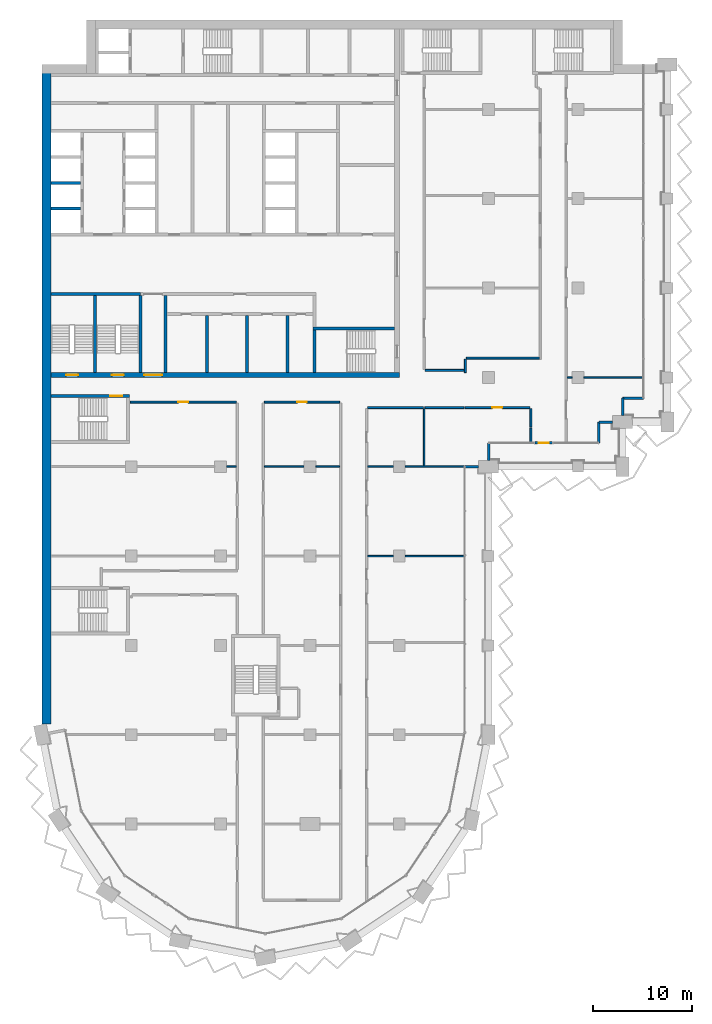
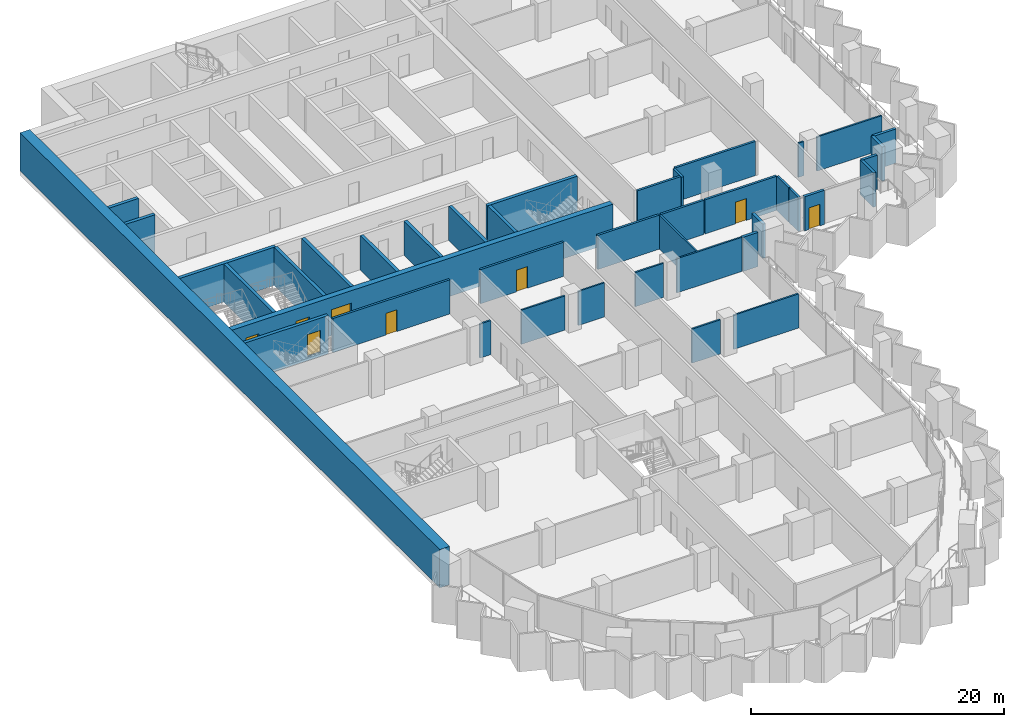
# One storey, part 12 of 23: 41 walls, 8 doors, 8 openings.
"""IFC4 building model written with IfcOpenShell, lengths in metres."""

from ifc_helpers import new_model, si_unit, direction, frame, frame_2d, origin, place, context, subcontext, project, spatial, rectangle, extrude, material, layer, layer_set, type_object, element, fill, save


model = new_model("IFC4")

# Units and contexts
model_context = context("Model", 3, precision=1e-05, world=origin(), true_north=direction((0.0, 1.0)))
body_context = subcontext(model_context, "Body", "Model", "MODEL_VIEW")
ifc_project = project(units=[si_unit("LENGTHUNIT", "METRE"), si_unit("AREAUNIT", "SQUARE_METRE"), si_unit("VOLUMEUNIT", "CUBIC_METRE"), si_unit("PLANEANGLEUNIT", "RADIAN"), si_unit("MASSUNIT", "GRAM", prefix="KILO")], contexts=[model_context])

# Site, building, storey
site_placement = place(None, origin())
site = spatial("IfcSite", under=ifc_project, at=site_placement, CompositionType="ELEMENT")
building_placement = place(site_placement, origin())
building = spatial("IfcBuilding", under=site, at=building_placement, Name="Hunhe Ridgeline Campus", CompositionType="ELEMENT")
storey_placement = place(building_placement, frame((0.0, 0.0, 148.60009765625)))
storey = spatial("IfcBuildingStorey", under=building, at=storey_placement, Name="L37", CompositionType="ELEMENT", Elevation=148.60009765625)

# Walls
ifc_material_1 = material(Name="Masonry concrete blockwork", Category="masonry")
ifc_layer_1 = layer(ifc_material_1, 0.300048828125)
ifc_layer_set_1 = layer_set([ifc_layer_1], Name="Core room partition 300 concrete block")
wall_type_1 = type_object("IfcWallType", Name="Core room partition 300 concrete block", PredefinedType="PARTITIONING", material=ifc_layer_set_1)
wall_1_placement = place(storey_placement, frame((12.449951171875, 63.5, 0.0), z_axis=(0.0, 0.0, 1.0), x_axis=(0.0, 1.0, 0.0)))
element("IfcWall", 1, at=wall_1_placement, inside=storey, type_object=wall_type_1, Name="L37 core partition 41", PredefinedType="PARTITIONING", context=body_context, shape_type="SweptSolid", body=[
    extrude(rectangle(XDim=7.75, YDim=0.300048828125, at=frame_2d((3.875, 0.0))), origin(), (0.0, 0.0, 1.0), 3.2998046875),
])
for number, where, z_axis, x_axis, name in (
    (2, (16.64990234375, 63.5, 0.0), (0.0, 0.0, 1.0), (0.0, 1.0, 0.0), "L37 core partition 44"),
    (3, (20.64990234375, 63.5, 0.0), (0.0, 0.0, 1.0), (0.0, 1.0, 0.0), "L37 core partition 47"),
    (4, (24.75, 63.5, 0.0), (0.0, 0.0, 1.0), (0.0, 1.0, 0.0), "L37 core partition 52"),
):
    element("IfcWall", number, at=place(storey_placement, frame(where, z_axis=z_axis, x_axis=x_axis)), inside=storey, type_object=wall_type_1, Name=name, PredefinedType="PARTITIONING", context=body_context, shape_type="SweptSolid", body=[
        extrude(rectangle(XDim=5.75, YDim=0.300048828125, at=frame_2d((2.875, 0.0))), origin(), (0.0, 0.0, 1.0), 3.2998046875),
    ])

# Wall, openings, doors
ifc_material_2 = material(Name="Concrete C70", Category="concrete")
ifc_layer_2 = layer(ifc_material_2, 0.5)
ifc_layer_set_2 = layer_set([ifc_layer_2], Name="Core wall 500 reinforced concrete C70")
wall_type_2 = type_object("IfcWallType", Name="Core wall 500 reinforced concrete C70", PredefinedType="SOLIDWALL", material=ifc_layer_set_2)
wall_2_placement = place(storey_placement, frame((0.89990234375, 63.25, -0.400146484375), z_axis=(0.0, 0.0, 1.0), x_axis=(1.0, 0.0, 0.0)))
wall_2 = element("IfcWall", 5, at=wall_2_placement, inside=storey, type_object=wall_type_2, Name="L37 core wall 7", PredefinedType="SOLIDWALL", context=body_context, shape_type="SweptSolid", body=[
    extrude(rectangle(XDim=35.10009765625, YDim=0.5, at=frame_2d((17.550048828125, 0.0))), origin(), (0.0, 0.0, 1.0), 3.699951171875),
])
opening_1_placement = place(wall_2_placement, frame((9.39990234375, 0.0, 0.39990234375)))
opening_1 = element("IfcOpeningElement", 6, at=opening_1_placement, cuts=wall_2, Name="Opening CD6", PredefinedType="OPENING", context=body_context, shape_type="SweptSolid", body=[
    extrude(rectangle(XDim=1.800048828125, YDim=2.10009765625, at=frame_2d((0.89990234375, 1.050048828125))), frame((0.0, 0.25, 0.0), z_axis=(0.0, -1.0, 0.0), x_axis=(1.0, 0.0, 0.0)), (0.0, 0.0, 1.0), 0.5),
])
opening_2_placement = place(wall_2_placement, frame((1.550048828125, 0.0, 0.39990234375)))
opening_2 = element("IfcOpeningElement", 7, at=opening_2_placement, cuts=wall_2, Name="Opening CD13", PredefinedType="OPENING", context=body_context, shape_type="SweptSolid", body=[
    extrude(rectangle(XDim=1.199951171875, YDim=2.10009765625, at=frame_2d((0.60009765625, 1.050048828125))), frame((0.0, 0.25, 0.0), z_axis=(0.0, -1.0, 0.0), x_axis=(1.0, 0.0, 0.0)), (0.0, 0.0, 1.0), 0.5),
])
opening_3_placement = place(wall_2_placement, frame((6.14990234375, 0.0, 0.39990234375)))
opening_3 = element("IfcOpeningElement", 8, at=opening_3_placement, cuts=wall_2, Name="Opening CD14", PredefinedType="OPENING", context=body_context, shape_type="SweptSolid", body=[
    extrude(rectangle(XDim=1.199951171875, YDim=2.10009765625, at=frame_2d((0.60009765625, 1.050048828125))), frame((0.0, 0.25, 0.0), z_axis=(0.0, -1.0, 0.0), x_axis=(1.0, 0.0, 0.0)), (0.0, 0.0, 1.0), 0.5),
])
ifc_material_3 = material(Name="Anodised aluminium and glass", Category="aluminium")
door_type_1 = type_object("IfcDoorType", Name="Glazed double door 1800x2100", OperationType="DOUBLE_DOOR_SINGLE_SWING", PredefinedType="DOOR", material=ifc_material_3)
door_1_placement = place(opening_1_placement, frame((1.800048828125, 0.0, 0.0), z_axis=(0.0, 0.0, 1.0), x_axis=(-1.0, 0.0, 0.0)))
door_1 = element("IfcDoor", 9, at=door_1_placement, inside=storey, type_object=door_type_1, Name="L37 door VEST-FLOOR", OperationType="DOUBLE_DOOR_SINGLE_SWING", OverallHeight=2.10009765625, OverallWidth=1.800048828125, PredefinedType="DOOR", context=body_context, shape_type="SweptSolid", body=[
    extrude(rectangle(XDim=1.800048828125, YDim=2.10009765625, at=frame_2d((0.89990234375, 1.050048828125))), frame((0.0, 0.02490234375, 0.0), z_axis=(0.0, -1.0, 0.0), x_axis=(1.0, 0.0, 0.0)), (0.0, 0.0, 1.0), 0.050048828125),
])
fill(opening_1, door_1)
ifc_material_4 = material(Name="Hollow metal fire door leaf")
door_type_2 = type_object("IfcDoorType", Name="Stair door 1200x2100 FD60", OperationType="SINGLE_SWING_LEFT", PredefinedType="DOOR", material=ifc_material_4)
door_2_placement = place(opening_2_placement, frame((1.199951171875, 0.0, 0.0), z_axis=(0.0, 0.0, 1.0), x_axis=(-1.0, 0.0, 0.0)))
door_2 = element("IfcDoor", 10, at=door_2_placement, inside=storey, type_object=door_type_2, Name="L37 door S3", OperationType="SINGLE_SWING_RIGHT", OverallHeight=2.10009765625, OverallWidth=1.199951171875, PredefinedType="DOOR", context=body_context, shape_type="SweptSolid", body=[
    extrude(rectangle(XDim=1.199951171875, YDim=2.10009765625, at=frame_2d((0.60009765625, 1.050048828125))), frame((0.0, 0.02490234375, 0.0), z_axis=(0.0, -1.0, 0.0), x_axis=(1.0, 0.0, 0.0)), (0.0, 0.0, 1.0), 0.050048828125),
])
fill(opening_2, door_2)
door_3_placement = place(opening_3_placement, frame((1.199951171875, 0.0, 0.0), z_axis=(0.0, 0.0, 1.0), x_axis=(-1.0, 0.0, 0.0)))
door_3 = element("IfcDoor", 11, at=door_3_placement, inside=storey, type_object=door_type_2, Name="L37 door S4", OperationType="SINGLE_SWING_LEFT", OverallHeight=2.10009765625, OverallWidth=1.199951171875, PredefinedType="DOOR", context=body_context, shape_type="SweptSolid", body=[
    extrude(rectangle(XDim=1.199951171875, YDim=2.10009765625, at=frame_2d((0.60009765625, 1.050048828125))), frame((0.0, 0.02490234375, 0.0), z_axis=(0.0, -1.0, 0.0), x_axis=(1.0, 0.0, 0.0)), (0.0, 0.0, 1.0), 0.050048828125),
])
fill(opening_3, door_3)

# Walls
ifc_material_5 = material(Name="Concrete C30", Category="concrete")
ifc_layer_3 = layer(ifc_material_5, 0.25)
ifc_layer_set_3 = layer_set([ifc_layer_3], Name="Corner return wall 250 Concrete C30")
wall_type_3 = type_object("IfcWallType", Name="Corner return wall 250 Concrete C30", PredefinedType="SOLIDWALL", material=ifc_layer_set_3)
wall_3_placement = place(storey_placement, frame((42.59912109375, 54.00048828125, 0.0), z_axis=(0.0, 0.0, 1.0), x_axis=(0.999999984814, 0.000174276749, 0.0)))
element("IfcWall", 12, at=wall_3_placement, inside=storey, type_object=wall_type_3, Name="Corner return wall 2", PredefinedType="SOLIDWALL", context=body_context, shape_type="SweptSolid", body=[
    extrude(rectangle(XDim=1.40087890625, YDim=0.25, at=frame_2d((0.700439453125, 0.0))), origin(), (0.0, 0.0, 1.0), 3.2998046875),
])
wall_4_placement = place(storey_placement, frame((44.999267578125, 54.64990234375, 0.0), z_axis=(0.0, 0.0, 1.0), x_axis=(0.000278862231, 0.999999961118, 0.0)))
element("IfcWall", 13, at=wall_4_placement, inside=storey, type_object=wall_type_3, Name="Corner return wall 3", PredefinedType="SOLIDWALL", context=body_context, shape_type="SweptSolid", body=[
    extrude(rectangle(XDim=1.7509765625, YDim=0.25, at=frame_2d((0.87548828125, 0.0))), origin(), (0.0, 0.0, 1.0), 3.2998046875),
])
wall_5_placement = place(storey_placement, frame((56.09912109375, 56.40087890625, 0.0), z_axis=(0.0, 0.0, 1.0), x_axis=(0.00011626555, 0.999999993241, 0.0)))
element("IfcWall", 14, at=wall_5_placement, inside=storey, type_object=wall_type_3, Name="Corner return wall 4", PredefinedType="SOLIDWALL", context=body_context, shape_type="SweptSolid", body=[
    extrude(rectangle(XDim=2.099853515625, YDim=0.25, at=frame_2d((1.0498046875, 0.0))), origin(), (0.0, 0.0, 1.0), 3.2998046875),
])
wall_6_placement = place(storey_placement, frame((56.099365234375, 58.500732421875, 0.0), z_axis=(0.0, 0.0, 1.0), x_axis=(0.999999984809, 0.000174307127, 0.0)))
element("IfcWall", 15, at=wall_6_placement, inside=storey, type_object=wall_type_3, Name="Corner return wall 5", PredefinedType="SOLIDWALL", context=body_context, shape_type="SweptSolid", body=[
    extrude(rectangle(XDim=1.400634765625, YDim=0.25, at=frame_2d((0.7001953125, 0.0))), origin(), (0.0, 0.0, 1.0), 3.2998046875),
])
wall_7_placement = place(storey_placement, frame((58.4990234375, 59.14990234375, 0.0), z_axis=(0.0, 0.0, 1.0), x_axis=(0.000139450563, 0.999999990277, 0.0)))
element("IfcWall", 16, at=wall_7_placement, inside=storey, type_object=wall_type_3, Name="Corner return wall 6", PredefinedType="SOLIDWALL", context=body_context, shape_type="SweptSolid", body=[
    extrude(rectangle(XDim=1.750732421875, YDim=0.25, at=frame_2d((0.87548828125, 0.0))), origin(), (0.0, 0.0, 1.0), 3.2998046875),
])
wall_8_placement = place(storey_placement, frame((58.499267578125, 60.900634765625, 0.0), z_axis=(0.0, 0.0, 1.0), x_axis=(0.999999993241, 0.00011626555, 0.0)))
element("IfcWall", 17, at=wall_8_placement, inside=storey, type_object=wall_type_3, Name="Corner return wall 7", PredefinedType="SOLIDWALL", context=body_context, shape_type="SweptSolid", body=[
    extrude(rectangle(XDim=2.099853515625, YDim=0.25, at=frame_2d((1.0498046875, 0.0))), origin(), (0.0, 0.0, 1.0), 3.2998046875),
])
ifc_material_6 = material(Name="Gypsum board partition")
ifc_layer_4 = layer(ifc_material_6, 0.199951171875)
ifc_layer_set_4 = layer_set([ifc_layer_4], Name="Corridor partition 200 gypsum board on steel studs")
wall_type_4 = type_object("IfcWallType", Name="Corridor partition 200 gypsum board on steel studs", PredefinedType="PARTITIONING", material=ifc_layer_set_4)
wall_9_placement = place(storey_placement, frame((38.425048828125, 59.950927734375, 0.0), z_axis=(0.0, 0.0, 1.0), x_axis=(-1.0, 0.0, 0.0)))
element("IfcWall", 18, at=wall_9_placement, inside=storey, type_object=wall_type_4, Name="F-L37-wall-039", PredefinedType="PARTITIONING", context=body_context, shape_type="SweptSolid", body=[
    extrude(rectangle(XDim=5.625, YDim=0.199951171875, at=frame_2d((2.8125, 0.0))), origin(), (0.0, 0.0, 1.0), 3.2998046875),
])
wall_10_placement = place(storey_placement, frame((42.5, 59.950927734375, 0.0), z_axis=(0.0, 0.0, 1.0), x_axis=(-1.0, 0.0, 0.0)))
element("IfcWall", 19, at=wall_10_placement, inside=storey, type_object=wall_type_4, Name="F-L37-wall-040", PredefinedType="PARTITIONING", context=body_context, shape_type="SweptSolid", body=[
    extrude(rectangle(XDim=3.925048828125, YDim=0.199951171875, at=frame_2d((1.96240234375, 0.0))), origin(), (0.0, 0.0, 1.0), 3.2998046875),
])

# Wall, opening, door
wall_11_placement = place(storey_placement, frame((49.14892578125, 59.950927734375, 0.0), z_axis=(0.0, 0.0, 1.0), x_axis=(-1.0, 0.0, 0.0)))
wall_11 = element("IfcWall", 20, at=wall_11_placement, inside=storey, type_object=wall_type_4, Name="F-L37-wall-041", PredefinedType="PARTITIONING", context=body_context, shape_type="SweptSolid", body=[
    extrude(rectangle(XDim=6.548828125, YDim=0.199951171875, at=frame_2d((3.2744140625, 0.0))), origin(), (0.0, 0.0, 1.0), 3.2998046875),
])
opening_4_placement = place(wall_11_placement, frame((2.7744140625, 0.0, 0.0)))
opening_4 = element("IfcOpeningElement", 21, at=opening_4_placement, cuts=wall_11, Name="Opening RD1-025", PredefinedType="OPENING", context=body_context, shape_type="SweptSolid", body=[
    extrude(rectangle(XDim=1.0, YDim=2.10009765625, at=frame_2d((0.5, 1.050048828125))), frame((0.0, 0.10009765625, 0.0), z_axis=(0.0, -1.0, 0.0), x_axis=(1.0, 0.0, 0.0)), (0.0, 0.0, 1.0), 0.199951171875),
])
ifc_material_7 = material(Name="Timber door leaf", Category="wood")
door_type_3 = type_object("IfcDoorType", Name="Single fire door 1000x2100 timber FD60", OperationType="NOTDEFINED", PredefinedType="DOOR", material=ifc_material_7)
door_4_placement = place(opening_4_placement, origin())
door_4 = element("IfcDoor", 22, at=door_4_placement, inside=storey, type_object=door_type_3, Name="F-L37-door-025", OperationType="SINGLE_SWING_RIGHT", OverallHeight=2.10009765625, OverallWidth=1.0, PredefinedType="DOOR", context=body_context, shape_type="SweptSolid", body=[
    extrude(rectangle(XDim=1.0, YDim=2.10009765625, at=frame_2d((0.5, 1.050048828125))), frame((0.0, 0.02490234375, 0.0), z_axis=(0.0, -1.0, 0.0), x_axis=(1.0, 0.0, 0.0)), (0.0, 0.0, 1.0), 0.050048828125),
])
fill(opening_4, door_4)

wall_12_placement = place(storey_placement, frame((19.60009765625, 60.5, 0.0), z_axis=(0.0, 0.0, 1.0), x_axis=(-1.0, 0.0, 0.0)))
wall_12 = element("IfcWall", 23, at=wall_12_placement, inside=storey, type_object=wall_type_4, Name="F-L37-wall-042", PredefinedType="PARTITIONING", context=body_context, shape_type="SweptSolid", body=[
    extrude(rectangle(XDim=10.696044921875, YDim=0.199951171875, at=frame_2d((5.34814453125, 0.0))), origin(), (0.0, 0.0, 1.0), 3.2998046875),
])
opening_5_placement = place(wall_12_placement, frame((4.847900390625, 0.0, 0.0)))
opening_5 = element("IfcOpeningElement", 24, at=opening_5_placement, cuts=wall_12, Name="Opening RD1-026", PredefinedType="OPENING", context=body_context, shape_type="SweptSolid", body=[
    extrude(rectangle(XDim=1.0, YDim=2.10009765625, at=frame_2d((0.5, 1.050048828125))), frame((0.0, 0.10009765625, 0.0), z_axis=(0.0, -1.0, 0.0), x_axis=(1.0, 0.0, 0.0)), (0.0, 0.0, 1.0), 0.199951171875),
])
door_5_placement = place(opening_5_placement, origin())
door_5 = element("IfcDoor", 25, at=door_5_placement, inside=storey, type_object=door_type_3, Name="F-L37-door-026", OperationType="SINGLE_SWING_LEFT", OverallHeight=2.10009765625, OverallWidth=1.0, PredefinedType="DOOR", context=body_context, shape_type="SweptSolid", body=[
    extrude(rectangle(XDim=1.0, YDim=2.10009765625, at=frame_2d((0.5, 1.050048828125))), frame((0.0, 0.02490234375, 0.0), z_axis=(0.0, -1.0, 0.0), x_axis=(1.0, 0.0, 0.0)), (0.0, 0.0, 1.0), 0.050048828125),
])
fill(opening_5, door_5)

wall_13_placement = place(storey_placement, frame((30.0, 60.5, 0.0), z_axis=(0.0, 0.0, 1.0), x_axis=(-1.0, 0.0, 0.0)))
wall_13 = element("IfcWall", 26, at=wall_13_placement, inside=storey, type_object=wall_type_4, Name="F-L37-wall-043", PredefinedType="PARTITIONING", context=body_context, shape_type="SweptSolid", body=[
    extrude(rectangle(XDim=7.60009765625, YDim=0.199951171875, at=frame_2d((3.800048828125, 0.0))), origin(), (0.0, 0.0, 1.0), 3.2998046875),
])
opening_6_placement = place(wall_13_placement, frame((3.300048828125, 0.0, 0.0)))
opening_6 = element("IfcOpeningElement", 27, at=opening_6_placement, cuts=wall_13, Name="Opening RD1-027", PredefinedType="OPENING", context=body_context, shape_type="SweptSolid", body=[
    extrude(rectangle(XDim=1.0, YDim=2.10009765625, at=frame_2d((0.5, 1.050048828125))), frame((0.0, 0.10009765625, 0.0), z_axis=(0.0, -1.0, 0.0), x_axis=(1.0, 0.0, 0.0)), (0.0, 0.0, 1.0), 0.199951171875),
])
door_6_placement = place(opening_6_placement, origin())
door_6 = element("IfcDoor", 28, at=door_6_placement, inside=storey, type_object=door_type_3, Name="F-L37-door-027", OperationType="SINGLE_SWING_LEFT", OverallHeight=2.10009765625, OverallWidth=1.0, PredefinedType="DOOR", context=body_context, shape_type="SweptSolid", body=[
    extrude(rectangle(XDim=1.0, YDim=2.10009765625, at=frame_2d((0.5, 1.050048828125))), frame((0.0, 0.02490234375, 0.0), z_axis=(0.0, -1.0, 0.0), x_axis=(1.0, 0.0, 0.0)), (0.0, 0.0, 1.0), 0.050048828125),
])
fill(opening_6, door_6)

# Walls
wall_14_placement = place(storey_placement, frame((38.60009765625, 63.699951171875, 0.0), z_axis=(0.0, 0.0, 1.0), x_axis=(1.0, 0.0, 0.0)))
element("IfcWall", 29, at=wall_14_placement, inside=storey, type_object=wall_type_4, Name="F-L37-wall-046", PredefinedType="PARTITIONING", context=body_context, shape_type="SweptSolid", body=[
    extrude(rectangle(XDim=3.949951171875, YDim=0.199951171875, at=frame_2d((1.97509765625, 0.0))), origin(), (0.0, 0.0, 1.0), 3.2998046875),
])
wall_15_placement = place(storey_placement, frame((42.75, 64.949951171875, 0.0), z_axis=(0.0, 0.0, 1.0), x_axis=(1.0, 0.0, 0.0)))
element("IfcWall", 30, at=wall_15_placement, inside=storey, type_object=wall_type_4, Name="F-L37-wall-047", PredefinedType="PARTITIONING", context=body_context, shape_type="SweptSolid", body=[
    extrude(rectangle(XDim=7.35009765625, YDim=0.199951171875, at=frame_2d((3.675048828125, 0.0))), origin(), (0.0, 0.0, 1.0), 3.2998046875),
])
wall_16_placement = place(storey_placement, frame((42.64990234375, 63.487548828125, 0.0), z_axis=(0.0, 0.0, 1.0), x_axis=(0.0, 1.0, 0.0)))
element("IfcWall", 31, at=wall_16_placement, inside=storey, type_object=wall_type_4, Name="F-L37-wall-071", PredefinedType="PARTITIONING", context=body_context, shape_type="SweptSolid", body=[
    extrude(rectangle(XDim=1.362548828125, YDim=0.199951171875, at=frame_2d((0.68115234375, 0.0))), origin(), (0.0, 0.0, 1.0), 3.2998046875),
])
wall_17_placement = place(storey_placement, frame((49.2490234375, 56.455078125, 0.0), z_axis=(0.0, 0.0, 1.0), x_axis=(0.0, 1.0, 0.0)))
element("IfcWall", 32, at=wall_17_placement, inside=storey, type_object=wall_type_4, Name="F-L37-wall-072", PredefinedType="PARTITIONING", context=body_context, shape_type="SweptSolid", body=[
    extrude(rectangle(XDim=1.44580078125, YDim=0.199951171875, at=frame_2d((0.722900390625, 0.0))), origin(), (0.0, 0.0, 1.0), 3.2998046875),
])
wall_18_placement = place(storey_placement, frame((49.2490234375, 58.0009765625, 0.0), z_axis=(0.0, 0.0, 1.0), x_axis=(0.0, 1.0, 0.0)))
element("IfcWall", 33, at=wall_18_placement, inside=storey, type_object=wall_type_4, Name="F-L37-wall-073", PredefinedType="PARTITIONING", context=body_context, shape_type="SweptSolid", body=[
    extrude(rectangle(XDim=1.85009765625, YDim=0.199951171875, at=frame_2d((0.925048828125, 0.0))), origin(), (0.0, 0.0, 1.0), 3.2998046875),
])

# Wall, opening, door
ifc_layer_5 = layer(ifc_material_5, 0.25)
ifc_layer_set_5 = layer_set([ifc_layer_5], Name="Loggia door pier wall 250 Concrete C30")
wall_type_5 = type_object("IfcWallType", Name="Loggia door pier wall 250 Concrete C30", PredefinedType="SOLIDWALL", material=ifc_layer_set_5)
wall_19_placement = place(storey_placement, frame((49.6494140625, 56.40087890625, 0.0), z_axis=(0.0, 0.0, 1.0), x_axis=(1.0, 0.0, 0.0)))
wall_19 = element("IfcWall", 34, at=wall_19_placement, inside=storey, type_object=wall_type_5, Name="Loggia door pier 3", PredefinedType="SOLIDWALL", context=body_context, shape_type="SweptSolid", body=[
    extrude(rectangle(XDim=1.800048828125, YDim=0.25, at=frame_2d((0.89990234375, 0.0))), origin(), (0.0, 0.0, 1.0), 3.2998046875),
])
opening_7_placement = place(wall_19_placement, frame((0.39990234375, 0.0, 0.0)))
opening_7 = element("IfcOpeningElement", 35, at=opening_7_placement, cuts=wall_19, Name="Opening BD306", PredefinedType="OPENING", context=body_context, shape_type="SweptSolid", body=[
    extrude(rectangle(XDim=1.0, YDim=2.10009765625, at=frame_2d((0.5, 1.050048828125))), frame((0.0, 0.125, 0.0), z_axis=(0.0, -1.0, 0.0), x_axis=(1.0, 0.0, 0.0)), (0.0, 0.0, 1.0), 0.25),
])
ifc_material_8 = material(Name="Aluminium 6063", Category="aluminium")
door_type_4 = type_object("IfcDoorType", Name="Loggia glazed door 1000x2100", OperationType="NOTDEFINED", PredefinedType="DOOR", material=ifc_material_8)
door_7_placement = place(opening_7_placement, frame((1.0, 0.0, 0.0), z_axis=(0.0, 0.0, 1.0), x_axis=(-1.0, 0.0, 0.0)))
door_7 = element("IfcDoor", 36, at=door_7_placement, inside=storey, type_object=door_type_4, Name="Loggia door BD306", OperationType="SINGLE_SWING_LEFT", OverallHeight=2.10009765625, OverallWidth=1.0, PredefinedType="DOOR", context=body_context, shape_type="SweptSolid", body=[
    extrude(rectangle(XDim=1.0, YDim=2.10009765625, at=frame_2d((0.5, 1.050048828125))), frame((0.0, 0.02490234375, 0.0), z_axis=(0.0, -1.0, 0.0), x_axis=(1.0, 0.0, 0.0)), (0.0, 0.0, 1.0), 0.050048828125),
])
fill(opening_7, door_7)

# Walls
ifc_layer_6 = layer(ifc_material_6, 0.14990234375)
ifc_layer_set_6 = layer_set([ifc_layer_6], Name="Room partition 150 gypsum board on steel studs")
wall_type_6 = type_object("IfcWallType", Name="Room partition 150 gypsum board on steel studs", PredefinedType="PARTITIONING", material=ifc_layer_set_6)
wall_20_placement = place(storey_placement, frame((32.800048828125, 45.0, 0.0), z_axis=(0.0, 0.0, 1.0), x_axis=(1.0, 0.0, 0.0)))
element("IfcWall", 37, at=wall_20_placement, inside=storey, type_object=wall_type_6, Name="F-L37-wall-030", PredefinedType="PARTITIONING", context=body_context, shape_type="SweptSolid", body=[
    extrude(rectangle(XDim=2.599853515625, YDim=0.14990234375, at=frame_2d((1.2998046875, 0.0))), origin(), (0.0, 0.0, 1.0), 3.2998046875),
])
wall_21_placement = place(storey_placement, frame((36.60009765625, 45.0, 0.0), z_axis=(0.0, 0.0, 1.0), x_axis=(1.0, 0.0, 0.0)))
element("IfcWall", 38, at=wall_21_placement, inside=storey, type_object=wall_type_6, Name="F-L37-wall-031", PredefinedType="PARTITIONING", context=body_context, shape_type="SweptSolid", body=[
    extrude(rectangle(XDim=5.945068359375, YDim=0.14990234375, at=frame_2d((2.97265625, 0.0))), origin(), (0.0, 0.0, 1.0), 3.2998046875),
])
wall_22_placement = place(storey_placement, frame((18.60009765625, 54.0, 0.0), z_axis=(0.0, 0.0, 1.0), x_axis=(1.0, 0.0, 0.0)))
element("IfcWall", 39, at=wall_22_placement, inside=storey, type_object=wall_type_6, Name="F-L37-wall-034", PredefinedType="PARTITIONING", context=body_context, shape_type="SweptSolid", body=[
    extrude(rectangle(XDim=1.0, YDim=0.14990234375, at=frame_2d((0.5, 0.0))), origin(), (0.0, 0.0, 1.0), 3.2998046875),
])
wall_23_placement = place(storey_placement, frame((22.39990234375, 54.0, 0.0), z_axis=(0.0, 0.0, 1.0), x_axis=(1.0, 0.0, 0.0)))
element("IfcWall", 40, at=wall_23_placement, inside=storey, type_object=wall_type_6, Name="F-L37-wall-035", PredefinedType="PARTITIONING", context=body_context, shape_type="SweptSolid", body=[
    extrude(rectangle(XDim=4.0, YDim=0.14990234375, at=frame_2d((2.0, 0.0))), origin(), (0.0, 0.0, 1.0), 3.2998046875),
])
wall_24_placement = place(storey_placement, frame((27.60009765625, 54.0, 0.0), z_axis=(0.0, 0.0, 1.0), x_axis=(1.0, 0.0, 0.0)))
element("IfcWall", 41, at=wall_24_placement, inside=storey, type_object=wall_type_6, Name="F-L37-wall-036", PredefinedType="PARTITIONING", context=body_context, shape_type="SweptSolid", body=[
    extrude(rectangle(XDim=2.39990234375, YDim=0.14990234375, at=frame_2d((1.199951171875, 0.0))), origin(), (0.0, 0.0, 1.0), 3.2998046875),
])
wall_25_placement = place(storey_placement, frame((32.800048828125, 54.0, 0.0), z_axis=(0.0, 0.0, 1.0), x_axis=(1.0, 0.0, 0.0)))
element("IfcWall", 42, at=wall_25_placement, inside=storey, type_object=wall_type_6, Name="F-L37-wall-037", PredefinedType="PARTITIONING", context=body_context, shape_type="SweptSolid", body=[
    extrude(rectangle(XDim=2.599853515625, YDim=0.14990234375, at=frame_2d((1.2998046875, 0.0))), origin(), (0.0, 0.0, 1.0), 3.2998046875),
])
wall_26_placement = place(storey_placement, frame((36.60009765625, 54.0, 0.0), z_axis=(0.0, 0.0, 1.0), x_axis=(1.0, 0.0, 0.0)))
element("IfcWall", 43, at=wall_26_placement, inside=storey, type_object=wall_type_6, Name="F-L37-wall-038", PredefinedType="PARTITIONING", context=body_context, shape_type="SweptSolid", body=[
    extrude(rectangle(XDim=5.945068359375, YDim=0.14990234375, at=frame_2d((2.97265625, 0.0))), origin(), (0.0, 0.0, 1.0), 3.2998046875),
])
wall_27_placement = place(storey_placement, frame((52.89990234375, 63.0, 0.0), z_axis=(0.0, 0.0, 1.0), x_axis=(1.0, 0.0, 0.0)))
element("IfcWall", 44, at=wall_27_placement, inside=storey, type_object=wall_type_6, Name="F-L37-wall-044", PredefinedType="PARTITIONING", context=body_context, shape_type="SweptSolid", body=[
    extrude(rectangle(XDim=0.5, YDim=0.14990234375, at=frame_2d((0.25, 0.0))), origin(), (0.0, 0.0, 1.0), 3.2998046875),
])
wall_28_placement = place(storey_placement, frame((54.60009765625, 63.0, 0.0), z_axis=(0.0, 0.0, 1.0), x_axis=(1.0, 0.0, 0.0)))
element("IfcWall", 45, at=wall_28_placement, inside=storey, type_object=wall_type_6, Name="F-L37-wall-045", PredefinedType="PARTITIONING", context=body_context, shape_type="SweptSolid", body=[
    extrude(rectangle(XDim=5.94482421875, YDim=0.14990234375, at=frame_2d((2.972412109375, 0.0))), origin(), (0.0, 0.0, 1.0), 3.2998046875),
])
wall_29_placement = place(storey_placement, frame((38.5, 59.85107421875, 0.0), z_axis=(0.0, 0.0, 1.0), x_axis=(0.0, -1.0, 0.0)))
element("IfcWall", 46, at=wall_29_placement, inside=storey, type_object=wall_type_6, Name="F-L37-wall-069", PredefinedType="PARTITIONING", context=body_context, shape_type="SweptSolid", body=[
    extrude(rectangle(XDim=5.776123046875, YDim=0.14990234375, at=frame_2d((2.88818359375, 0.0))), origin(), (0.0, 0.0, 1.0), 3.2998046875),
])
ifc_layer_7 = layer(ifc_material_2, 0.300048828125)
ifc_layer_set_7 = layer_set([ifc_layer_7], Name="Shaft wall 300 reinforced concrete C70")
wall_type_7 = type_object("IfcWallType", Name="Shaft wall 300 reinforced concrete C70", PredefinedType="SOLIDWALL", material=ifc_layer_set_7)
for number, where, z_axis, x_axis, name in (
    (47, (0.89990234375, 80.0, -0.400146484375), (0.0, 0.0, 1.0), (1.0, 0.0, 0.0), "L37 core wall 14"),
    (48, (0.89990234375, 82.60009765625, -0.400146484375), (0.0, 0.0, 1.0), (1.0, 0.0, 0.0), "L37 core wall 17"),
):
    element("IfcWall", number, at=place(storey_placement, frame(where, z_axis=z_axis, x_axis=x_axis)), inside=storey, type_object=wall_type_7, Name=name, PredefinedType="SOLIDWALL", context=body_context, shape_type="SweptSolid", body=[
        extrude(rectangle(XDim=3.0, YDim=0.300048828125, at=frame_2d((1.5, 0.0))), origin(), (0.0, 0.0, 1.0), 3.699951171875),
    ])
ifc_layer_8 = layer(ifc_material_2, 0.89990234375)
ifc_layer_set_8 = layer_set([ifc_layer_8], Name="Spine wall 900 Concrete C70")
wall_type_8 = type_object("IfcWallType", Name="Spine wall 900 Concrete C70", PredefinedType="SHEAR", material=ifc_layer_set_8)
wall_30_placement = place(storey_placement, frame((0.449951171875, 94.5, 0.0), z_axis=(0.0, 0.0, 1.0), x_axis=(0.0, -1.0, 0.0)))
element("IfcWall", 49, at=wall_30_placement, inside=storey, type_object=wall_type_8, Name="Spine wall SW2-1 L37", PredefinedType="SHEAR", context=body_context, shape_type="SweptSolid", body=[
    extrude(rectangle(XDim=66.430419921875, YDim=0.89990234375, at=frame_2d((33.21533203125, 0.0))), origin(), (0.0, 0.0, 1.0), 3.699951171875),
])

# Wall, opening, door
ifc_layer_9 = layer(ifc_material_2, 0.300048828125)
ifc_layer_set_9 = layer_set([ifc_layer_9], Name="Stair wall 300 reinforced concrete C70")
wall_type_9 = type_object("IfcWallType", Name="Stair wall 300 reinforced concrete C70", PredefinedType="SOLIDWALL", material=ifc_layer_set_9)
wall_31_placement = place(storey_placement, frame((0.89990234375, 61.10009765625, -0.400146484375), z_axis=(0.0, 0.0, 1.0), x_axis=(1.0, 0.0, 0.0)))
wall_31 = element("IfcWall", 50, at=wall_31_placement, inside=storey, type_object=wall_type_9, Name="L37 core wall 6", PredefinedType="SOLIDWALL", context=body_context, shape_type="SweptSolid", body=[
    extrude(rectangle(XDim=7.900146484375, YDim=0.300048828125, at=frame_2d((3.9501953125, 0.0))), origin(), (0.0, 0.0, 1.0), 3.699951171875),
])
opening_8_placement = place(wall_31_placement, frame((6.0, 0.0, 0.39990234375)))
opening_8 = element("IfcOpeningElement", 51, at=opening_8_placement, cuts=wall_31, Name="Opening CD22", PredefinedType="OPENING", context=body_context, shape_type="SweptSolid", body=[
    extrude(rectangle(XDim=1.199951171875, YDim=2.10009765625, at=frame_2d((0.60009765625, 1.050048828125))), frame((0.0, 0.14990234375, 0.0), z_axis=(0.0, -1.0, 0.0), x_axis=(1.0, 0.0, 0.0)), (0.0, 0.0, 1.0), 0.300048828125),
])
door_8_placement = place(opening_8_placement, origin())
door_8 = element("IfcDoor", 52, at=door_8_placement, inside=storey, type_object=door_type_2, Name="L37 door W2", OperationType="SINGLE_SWING_RIGHT", OverallHeight=2.10009765625, OverallWidth=1.199951171875, PredefinedType="DOOR", context=body_context, shape_type="SweptSolid", body=[
    extrude(rectangle(XDim=1.199951171875, YDim=2.10009765625, at=frame_2d((0.60009765625, 1.050048828125))), frame((0.0, 0.02490234375, 0.0), z_axis=(0.0, -1.0, 0.0), x_axis=(1.0, 0.0, 0.0)), (0.0, 0.0, 1.0), 0.050048828125),
])
fill(opening_8, door_8)

# Walls
wall_32_placement = place(storey_placement, frame((27.300048828125, 67.89990234375, -0.400146484375), z_axis=(0.0, 0.0, 1.0), x_axis=(1.0, 0.0, 0.0)))
element("IfcWall", 53, at=wall_32_placement, inside=storey, type_object=wall_type_9, Name="L37 core wall 8", PredefinedType="SOLIDWALL", context=body_context, shape_type="SweptSolid", body=[
    extrude(rectangle(XDim=8.199951171875, YDim=0.300048828125, at=frame_2d((4.10009765625, 0.0))), origin(), (0.0, 0.0, 1.0), 3.699951171875),
])
wall_33_placement = place(storey_placement, frame((0.89990234375, 71.39990234375, -0.400146484375), z_axis=(0.0, 0.0, 1.0), x_axis=(1.0, 0.0, 0.0)))
element("IfcWall", 54, at=wall_33_placement, inside=storey, type_object=wall_type_9, Name="L37 core wall 10", PredefinedType="SOLIDWALL", context=body_context, shape_type="SweptSolid", body=[
    extrude(rectangle(XDim=9.050048828125, YDim=0.300048828125, at=frame_2d((4.52490234375, 0.0))), origin(), (0.0, 0.0, 1.0), 3.699951171875),
])
for number, where, z_axis, x_axis, name in (
    (55, (5.35009765625, 63.5, -0.400146484375), (0.0, 0.0, 1.0), (0.0, 1.0, 0.0), "L37 core wall 32"),
    (56, (9.949951171875, 63.5, -0.400146484375), (0.0, 0.0, 1.0), (0.0, 1.0, 0.0), "L37 core wall 38"),
):
    element("IfcWall", number, at=place(storey_placement, frame(where, z_axis=z_axis, x_axis=x_axis)), inside=storey, type_object=wall_type_9, Name=name, PredefinedType="SOLIDWALL", context=body_context, shape_type="SweptSolid", body=[
        extrude(rectangle(XDim=7.75, YDim=0.300048828125, at=frame_2d((3.875, 0.0))), origin(), (0.0, 0.0, 1.0), 3.699951171875),
    ])
wall_34_placement = place(storey_placement, frame((27.449951171875, 63.5, -0.400146484375), z_axis=(0.0, 0.0, 1.0), x_axis=(0.0, 1.0, 0.0)))
element("IfcWall", 57, at=wall_34_placement, inside=storey, type_object=wall_type_9, Name="L37 core wall 55", PredefinedType="SOLIDWALL", context=body_context, shape_type="SweptSolid", body=[
    extrude(rectangle(XDim=4.25, YDim=0.300048828125, at=frame_2d((2.125, 0.0))), origin(), (0.0, 0.0, 1.0), 3.699951171875),
])

save(model, "model.ifc")
